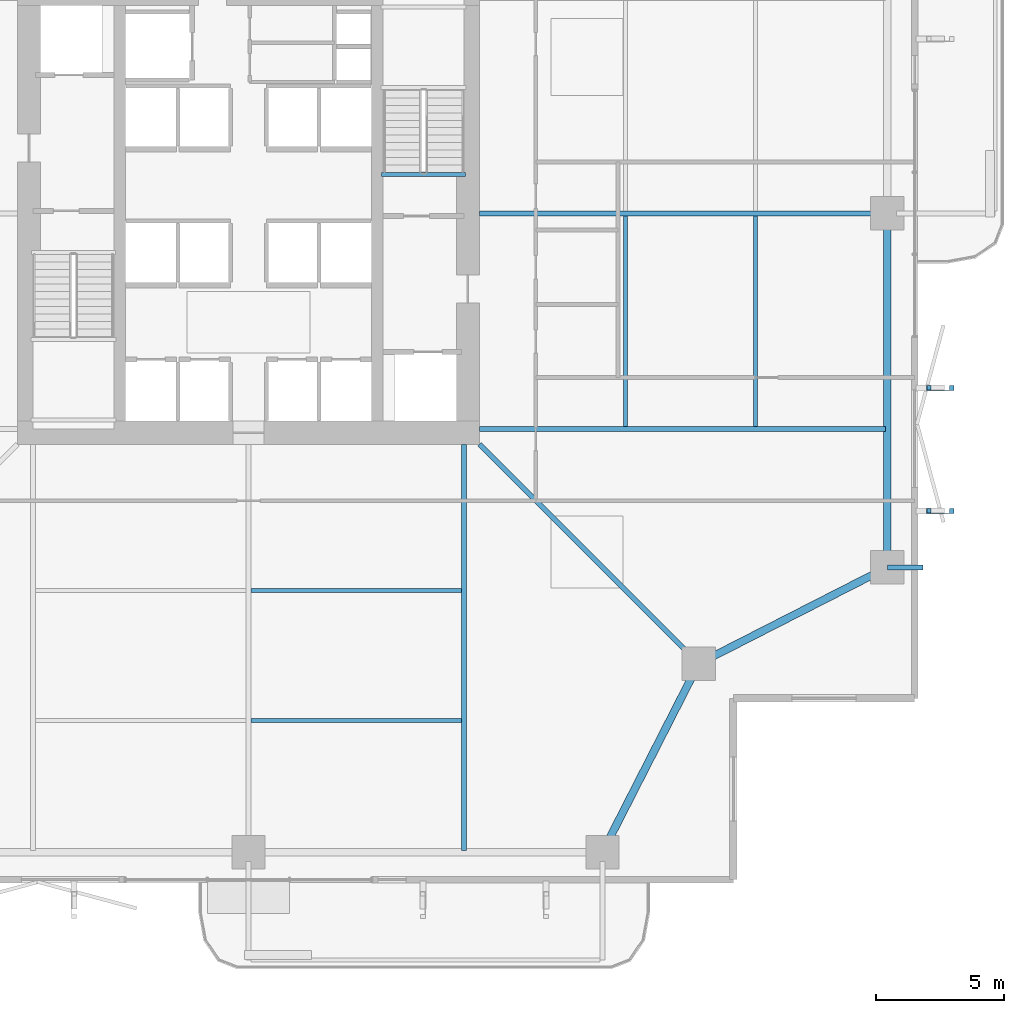
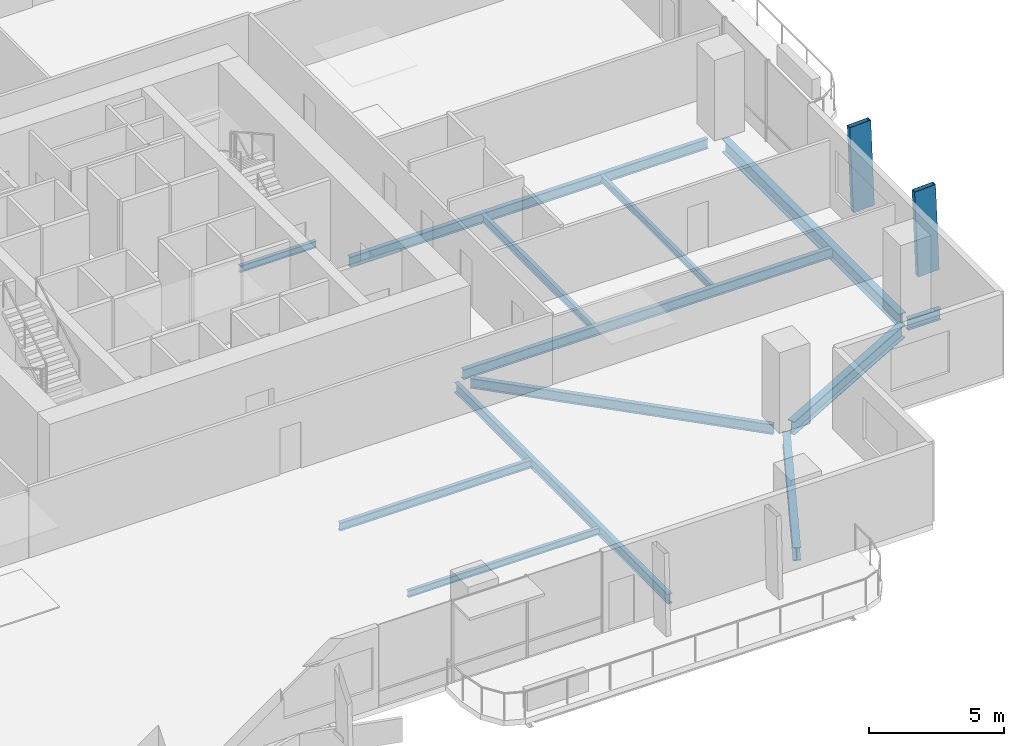
# One storey, part 7 of 24: 13 beams, 2 members.
"""IFC4 building model written with IfcOpenShell, lengths in metres."""

import ifcopenshell
import ifcopenshell.guid

model = None  # the IFC model being written
_history = None  # IfcOwnerHistory: only IFC2X3 demands one
_inside = {}  # id of a spatial element -> (the spatial element, [elements in it])
_under = {}  # id of a project, library or spatial element -> (it, [spatial elements below it])
_declared = {}  # id of a project -> (the project, [libraries it declares])
_typed = {}  # id of a type object -> (the type object, [elements of that type])
_made_of = {}  # id of a material, layer set ... -> (it, [elements and type objects made of it])


def new_model(schema):
    """Start an empty IFC model of exactly this schema.

    Asked for "IFC4X3", IfcOpenShell would pick the latest addendum, in which some entities
    have other attributes; the version numbers below select the first issue.
    IFC2X3 requires an IfcOwnerHistory on every rooted entity: one is made here for all.
    """
    global model, _history
    if schema == "IFC4X3":
        model = ifcopenshell.file(schema_version=(4, 3, 0, 0))
    else:
        model = ifcopenshell.file(schema=schema)
    _inside.clear()
    _under.clear()
    _declared.clear()
    _typed.clear()
    _made_of.clear()
    _history = None
    if model.schema == "IFC2X3":
        org = make("IfcOrganization", Name="unknown")
        user = make(
            "IfcPersonAndOrganization",
            ThePerson=make("IfcPerson", FamilyName="unknown"),
            TheOrganization=org,
        )
        app = make(
            "IfcApplication",
            ApplicationDeveloper=org,
            Version="unknown",
            ApplicationFullName="unknown",
            ApplicationIdentifier="unknown",
        )
        _history = make(
            "IfcOwnerHistory",
            OwningUser=user,
            OwningApplication=app,
            ChangeAction="ADDED",
            CreationDate=0,
        )
    return model


def make(cls, **values):
    """One entity of the class cls with the attributes given. An attribute that is None is left unset."""
    return model.create_entity(
        cls, **{name: value for name, value in values.items() if value is not None}
    )


def rooted(cls, **values):
    """An entity with a GlobalId (a new one), such as an element, a storey or a relation."""
    return make(cls, GlobalId=ifcopenshell.guid.new(), OwnerHistory=_history, **values)


def si_unit(unit_type, name, prefix=None):
    """IfcSIUnit, for example si_unit("LENGTHUNIT", "METRE", prefix="MILLI")."""
    return make("IfcSIUnit", UnitType=unit_type, Prefix=prefix, Name=name)


def assignment(units):
    """IfcUnitAssignment: the units of a project."""
    return None if units is None else make("IfcUnitAssignment", Units=units)


def point(xyz):
    """IfcCartesianPoint."""
    return None if xyz is None else make("IfcCartesianPoint", Coordinates=xyz)


def direction(xyz):
    """IfcDirection."""
    return None if xyz is None else make("IfcDirection", DirectionRatios=xyz)


def frame(location, z_axis=None, x_axis=None):
    """IfcAxis2Placement3D, a coordinate frame: its origin and axes. An axis left out is left unset."""
    return make(
        "IfcAxis2Placement3D",
        Location=point(location),
        Axis=direction(z_axis),
        RefDirection=direction(x_axis),
    )


def frame_2d(location, x_axis=None):
    """IfcAxis2Placement2D, a coordinate frame in the plane: its origin and x axis."""
    return make(
        "IfcAxis2Placement2D", Location=point(location), RefDirection=direction(x_axis)
    )


def origin():
    """The frame at (0, 0, 0) with its axes left unset."""
    return frame((0.0, 0.0, 0.0))


def origin_2d():
    """The frame at (0, 0) in the plane with its x axis left unset."""
    return frame_2d((0.0, 0.0))


def place(relative_to, where):
    """IfcLocalPlacement: puts the frame where relative to a parent placement (None: the world)."""
    return make(
        "IfcLocalPlacement", PlacementRelTo=relative_to, RelativePlacement=where
    )


def context(
    kind, dimensions, precision=None, world=None, true_north=None, identifier=None
):
    """IfcGeometricRepresentationContext, for example the 3D "Model" context."""
    return make(
        "IfcGeometricRepresentationContext",
        ContextIdentifier=identifier,
        ContextType=kind,
        CoordinateSpaceDimension=dimensions,
        Precision=precision,
        WorldCoordinateSystem=world,
        TrueNorth=true_north,
    )


def subcontext(parent, identifier, kind, view, scale=None):
    """IfcGeometricRepresentationSubContext, for example "Body" below "Model"."""
    return make(
        "IfcGeometricRepresentationSubContext",
        ContextIdentifier=identifier,
        ContextType=kind,
        ParentContext=parent,
        TargetScale=scale,
        TargetView=view,
    )


def project(units=None, contexts=None):
    """IfcProject with its units and contexts."""
    return rooted(
        "IfcProject",
        Name="project",
        RepresentationContexts=contexts,
        UnitsInContext=assignment(units),
    )


def spatial(cls, under=None, at=None, **own):
    """A site, building, storey or space (cls), placed at a placement, below another one or the project."""
    s = rooted(cls, ObjectPlacement=at, **own)
    if under is not None:
        _under.setdefault(under.id(), (under, []))[1].append(s)
    return s


def profile(cls, at=None, kind="AREA", **sizes):
    """A parametric profile (cls). Its sizes go by their IFC names, for example OverallWidth=200.0."""
    return make(cls, ProfileType=kind, Position=at, **sizes)


def hollow_rectangle(**sizes):
    """IfcRectangleHollowProfileDef."""
    return profile("IfcRectangleHollowProfileDef", **sizes)


def i_section(**sizes):
    """IfcIShapeProfileDef."""
    return profile("IfcIShapeProfileDef", **sizes)


def extrude(swept, where, along, depth):
    """IfcExtrudedAreaSolid: the profile swept, set in the frame where, extruded along a direction by depth."""
    return make(
        "IfcExtrudedAreaSolid",
        SweptArea=swept,
        Position=where,
        ExtrudedDirection=direction(along),
        Depth=depth,
    )


def shape(context_of_items, identifier, shape_type, items):
    """IfcShapeRepresentation: the items that make up one representation, for example the "Body"."""
    return make(
        "IfcShapeRepresentation",
        ContextOfItems=context_of_items,
        RepresentationIdentifier=identifier,
        RepresentationType=shape_type,
        Items=items,
    )


def material(Name=None, Category=None):
    """IfcMaterial."""
    return make("IfcMaterial", Name=Name, Category=Category)


def material_profile(
    of_material, cross_section, Name=None, Category=None, Priority=None
):
    """IfcMaterialProfile: a cross section and its material."""
    return make(
        "IfcMaterialProfile",
        Name=Name,
        Material=of_material,
        Profile=cross_section,
        Priority=Priority,
        Category=Category,
    )


def profile_set(profiles, Name=None, composite=None):
    """IfcMaterialProfileSet."""
    return make(
        "IfcMaterialProfileSet",
        Name=Name,
        MaterialProfiles=profiles,
        CompositeProfile=composite,
    )


def made_of(thing, what):
    """Note that an element or type object is made of a material, layer set ...; save() writes the relation."""
    if what is not None:
        _made_of.setdefault(what.id(), (what, []))[1].append(thing)
    return thing


def type_object(cls, material=None, **own):
    """A type object (cls), such as IfcWallType, which elements share."""
    return made_of(rooted(cls, **own), material)


def element(
    cls,
    number,
    at=None,
    inside=None,
    cuts=None,
    type_object=None,
    material=None,
    context=None,
    identifier="Body",
    shape_type=None,
    held_by="IfcProductDefinitionShape",
    body=None,
    shapes=None,
    **own,
):
    """One element of the class cls, such as IfcWall. Its Tag is "e" and its number.

    at: its placement. inside: the storey or other place that contains it. cuts: it is an
    opening in that element (IfcRelVoidsElement). A single representation is given by context,
    identifier, shape_type and body (its items); several are given by shapes. held_by: the class
    of the entity that holds the representations. save() writes the other relations.
    """
    e = rooted(cls, Tag="e%d" % number, ObjectPlacement=at, **own)
    if body is not None:
        shapes = [shape(context, identifier, shape_type, body)]
    if shapes is not None:
        e.Representation = make(held_by, Representations=shapes)
    if inside is not None:
        _inside.setdefault(inside.id(), (inside, []))[1].append(e)
    if cuts is not None:
        rooted(
            "IfcRelVoidsElement", RelatingBuildingElement=cuts, RelatedOpeningElement=e
        )
    if type_object is not None:
        _typed.setdefault(type_object.id(), (type_object, []))[1].append(e)
    return made_of(e, material)


def aggregate(whole, parts):
    """IfcRelAggregates: a whole, such as a stair, and the parts it consists of."""
    return rooted("IfcRelAggregates", RelatingObject=whole, RelatedObjects=parts)


def save(model, path):
    """Write the relations noted so far, then the file.

    IfcRelAggregates (storeys below a building ...), IfcRelContainedInSpatialStructure (elements
    in a storey), IfcRelDefinesByType, IfcRelAssociatesMaterial and IfcRelDeclares: one each for
    every whole, place, type object, material and project.
    """
    for whole, parts in _under.values():
        aggregate(whole, parts)
    for where, things in _inside.values():
        rooted(
            "IfcRelContainedInSpatialStructure",
            RelatedElements=things,
            RelatingStructure=where,
        )
    for kind, things in _typed.values():
        rooted("IfcRelDefinesByType", RelatedObjects=things, RelatingType=kind)
    for what, things in _made_of.values():
        rooted("IfcRelAssociatesMaterial", RelatedObjects=things, RelatingMaterial=what)
    for by, libraries in _declared.values():
        rooted("IfcRelDeclares", RelatingContext=by, RelatedDefinitions=libraries)
    model.write(path)


model = new_model("IFC4")

# Units and contexts
model_context = context("Model", 3, precision=1e-05, world=origin(), true_north=direction((0.0, 1.0)))
body_context = subcontext(model_context, "Body", "Model", "MODEL_VIEW")
ifc_project = project(units=[si_unit("LENGTHUNIT", "METRE"), si_unit("AREAUNIT", "SQUARE_METRE"), si_unit("VOLUMEUNIT", "CUBIC_METRE"), si_unit("PLANEANGLEUNIT", "RADIAN"), si_unit("MASSUNIT", "GRAM", prefix="KILO")], contexts=[model_context])

# Site, building, storey
site_placement = place(None, origin())
site = spatial("IfcSite", under=ifc_project, at=site_placement, CompositionType="ELEMENT")
building_placement = place(site_placement, origin())
building = spatial("IfcBuilding", under=site, at=building_placement, Name="Belovzor Exchange Tower", CompositionType="ELEMENT")
storey_placement = place(building_placement, frame((0.0, 0.0, 117.300048828125)))
storey = spatial("IfcBuildingStorey", under=building, at=storey_placement, Name="L28", CompositionType="ELEMENT", Elevation=117.300048828125)

# Beams
ifc_material_1 = material(Name="Steel S355", Category="steel")
ifc_material_profile_1 = material_profile(ifc_material_1, i_section(OverallWidth=0.199951171875, OverallDepth=0.5, WebThickness=0.01025390625, FlangeThickness=0.01611328125, at=origin_2d()))
ifc_profile_set_1 = profile_set([ifc_material_profile_1], Name="Steel S355")
beam_type_1 = type_object("IfcBeamType", Name="Planted Balcony Cantilever Beam IPE 500", PredefinedType="BEAM", material=ifc_profile_set_1)
beam_1_placement = place(storey_placement, frame((53.699951171875, 15.0, -0.5), z_axis=(1.0, 0.0, 0.0), x_axis=(0.0, 1.0, 0.0)))
element("IfcBeam", 1, at=beam_1_placement, inside=storey, type_object=beam_type_1, Name="BC-500 Planted Balcony Cantilever Beam IPE 500", PredefinedType="BEAM", context=body_context, shape_type="SweptSolid", body=[
    extrude(i_section(OverallWidth=0.199951171875, OverallDepth=0.5, WebThickness=0.01025390625, FlangeThickness=0.01611328125, at=origin_2d()), origin(), (0.0, 0.0, 1.0), 1.400146484375),
])
ifc_material_2 = material(Name="Steel S355", Category="steel")
ifc_material_profile_2 = material_profile(ifc_material_2, i_section(OverallWidth=0.169921875, OverallDepth=0.360107421875, WebThickness=0.008056640625, FlangeThickness=0.0126953125, at=origin_2d()))
ifc_profile_set_2 = profile_set([ifc_material_profile_2], Name="Steel S355")
beam_type_2 = type_object("IfcBeamType", Name="Secondary Infill Floor Joist IPE 360", PredefinedType="BEAM", material=ifc_profile_set_2)
for number, where, z_axis, x_axis, name in (
    (2, (28.89501953125, 14.10302734375, -0.429931640625), (1.0, 0.0, 0.0), (0.0, 1.0, 0.0), "FJ-360 Secondary Infill Floor Joist IPE 360"),
    (3, (43.4970703125, 20.4951171875, -0.429931640625), (0.0, 1.0, 0.0), (-1.0, 0.0, 0.0), "FJ-360 Secondary Infill Floor Joist IPE 360"),
):
    element("IfcBeam", number, at=place(storey_placement, frame(where, z_axis=z_axis, x_axis=x_axis)), inside=storey, type_object=beam_type_2, Name=name, PredefinedType="BEAM", context=body_context, shape_type="SweptSolid", body=[
        extrude(i_section(OverallWidth=0.169921875, OverallDepth=0.360107421875, WebThickness=0.008056640625, FlangeThickness=0.0126953125, at=origin_2d()), origin(), (0.0, 0.0, 1.0), 8.2099609375),
    ])
ifc_material_3 = material(Name="Steel S355", Category="steel")
ifc_material_profile_3 = material_profile(ifc_material_3, i_section(OverallWidth=0.14990234375, OverallDepth=0.300048828125, WebThickness=0.007080078125, FlangeThickness=0.0107421875, at=origin_2d()))
ifc_profile_set_3 = profile_set([ifc_material_profile_3], Name="Steel S355")
beam_type_3 = type_object("IfcBeamType", Name="Secondary Trim Floor Joist IPE 300", PredefinedType="BEAM", material=ifc_profile_set_3)
beam_2_placement = place(storey_placement, frame((37.260009765625, 30.320068359375, -0.400146484375), z_axis=(-1.0, 0.0, 0.0), x_axis=(0.0, -1.0, 0.0)))
element("IfcBeam", 4, at=beam_2_placement, inside=storey, type_object=beam_type_3, Name="FJ-300 Secondary Trim Floor Joist IPE 300", PredefinedType="BEAM", context=body_context, shape_type="SweptSolid", body=[
    extrude(i_section(OverallWidth=0.14990234375, OverallDepth=0.300048828125, WebThickness=0.007080078125, FlangeThickness=0.0107421875, at=origin_2d()), origin(), (0.0, 0.0, 1.0), 3.27001953125),
])
for number, where, z_axis, x_axis, name in (
    (5, (28.89501953125, 9.0390625, -0.400146484375), (1.0, 0.0, 0.0), (0.0, 1.0, 0.0), "FJ-300 Secondary Trim Floor Joist IPE 300"),
    (6, (48.56103515625, 20.4951171875, -0.400146484375), (0.0, 1.0, 0.0), (-1.0, 0.0, 0.0), "FJ-300 Secondary Trim Floor Joist IPE 300"),
):
    element("IfcBeam", number, at=place(storey_placement, frame(where, z_axis=z_axis, x_axis=x_axis)), inside=storey, type_object=beam_type_3, Name=name, PredefinedType="BEAM", context=body_context, shape_type="SweptSolid", body=[
        extrude(i_section(OverallWidth=0.14990234375, OverallDepth=0.300048828125, WebThickness=0.007080078125, FlangeThickness=0.0107421875, at=origin_2d()), origin(), (0.0, 0.0, 1.0), 8.2099609375),
    ])

# Members
ifc_material_4 = material(Name="Extruded Architectural Terracotta on Steel S355 Carrier", Category="masonry")
ifc_material_profile_4 = material_profile(ifc_material_4, hollow_rectangle(XDim=0.199951171875, YDim=0.89990234375, WallThickness=0.011962890625, at=origin_2d()))
ifc_profile_set_4 = profile_set([ifc_material_profile_4], Name="Extruded Architectural Terracotta on Steel S355 Carrier")
member_type = type_object("IfcMemberType", Name="Sweeping Terracotta Baguette Fin Assembly 1250", PredefinedType="USERDEFINED", material=ifc_profile_set_4)
for number, where, z_axis, x_axis, name in (
    (7, (55.842041015625, 17.199951171875, -0.25), (-0.040719923662, 0.0, 0.999170599956), (0.0, -1.0, 0.0), "FIN-TC125 Terracotta Facade Fin L28 E1"),
    (8, (55.842041015625, 22.0, -0.25), (-0.040719923662, 0.0, 0.999170599956), (0.0, -1.0, 0.0), "FIN-TC125 Terracotta Facade Fin L28 E2"),
):
    element("IfcMember", number, at=place(storey_placement, frame(where, z_axis=z_axis, x_axis=x_axis)), inside=storey, type_object=member_type, Name=name, ObjectType="FIN", PredefinedType="USERDEFINED", context=body_context, shape_type="SweptSolid", body=[
        extrude(hollow_rectangle(XDim=0.199951171875, YDim=0.89990234375, WallThickness=0.011962890625, at=origin_2d()), origin(), (0.0, 0.0, 1.0), 3.903076171875),
    ])

# Beams
ifc_material_5 = material(Name="Steel S355", Category="steel")
ifc_material_profile_5 = material_profile(ifc_material_5, i_section(OverallWidth=0.300048828125, OverallDepth=0.60009765625, WebThickness=0.015380859375, FlangeThickness=0.030029296875, at=origin_2d()))
ifc_profile_set_5 = profile_set([ifc_material_profile_5], Name="Steel S355")
beam_type_4 = type_object("IfcBeamType", Name="Zone 2 Primary Perimeter Girder HEB 600", PredefinedType="BEAM", material=ifc_profile_set_5)
for number, where, z_axis, x_axis, name in (
    (9, (42.761962890625, 4.218017578125, -0.550048828125), (0.454531706448, 0.890730558493, 0.0), (-0.890730558493, 0.454531706448, 0.0), "FG-Z2 Zone 2 Primary Perimeter Girder HEB 600"),
    (10, (46.66796875, 11.412109375, -0.550048828125), (0.890750362822, 0.454492894481, 0.0), (-0.454492894481, 0.890750362822, 0.0), "FG-Z2 Zone 2 Primary Perimeter Girder HEB 600"),
):
    element("IfcBeam", number, at=place(storey_placement, frame(where, z_axis=z_axis, x_axis=x_axis)), inside=storey, type_object=beam_type_4, Name=name, PredefinedType="BEAM", context=body_context, shape_type="SweptSolid", body=[
        extrude(i_section(OverallWidth=0.300048828125, OverallDepth=0.60009765625, WebThickness=0.015380859375, FlangeThickness=0.030029296875, at=origin_2d()), origin(), (0.0, 0.0, 1.0), 7.53759765625),
    ])
beam_3_placement = place(storey_placement, frame((53.699951171875, 15.35693359375, -0.550048828125), z_axis=(0.0, 1.0, 0.0), x_axis=(-1.0, 0.0, 0.0)))
element("IfcBeam", 11, at=beam_3_placement, inside=storey, type_object=beam_type_4, Name="FG-Z2 Zone 2 Primary Perimeter Girder HEB 600", PredefinedType="BEAM", context=body_context, shape_type="SweptSolid", body=[
    extrude(i_section(OverallWidth=0.300048828125, OverallDepth=0.60009765625, WebThickness=0.015380859375, FlangeThickness=0.030029296875, at=origin_2d()), origin(), (0.0, 0.0, 1.0), 13.0849609375),
])
ifc_material_6 = material(Name="Steel S355", Category="steel")
ifc_material_profile_6 = material_profile(ifc_material_6, i_section(OverallWidth=0.18994140625, OverallDepth=0.449951171875, WebThickness=0.009521484375, FlangeThickness=0.0146484375, at=origin_2d()))
ifc_profile_set_6 = profile_set([ifc_material_profile_6], Name="Steel S355")
beam_type_5 = type_object("IfcBeamType", Name="Zone 2-4 Radial Composite Floor Beam IPE 450", PredefinedType="BEAM", material=ifc_profile_set_6)
for number, where, z_axis, x_axis, name in (
    (12, (37.199951171875, 19.800048828125, -0.47509765625), (0.0, -1.0, 0.0), (1.0, 0.0, 0.0), "FB-450 Zone 2-4 Radial Composite Floor Beam IPE 450"),
    (13, (37.800048828125, 20.39990234375, -0.47509765625), (1.0, 0.0, 0.0), (0.0, 1.0, 0.0), "FB-450 Zone 2-4 Radial Composite Floor Beam IPE 450"),
):
    element("IfcBeam", number, at=place(storey_placement, frame(where, z_axis=z_axis, x_axis=x_axis)), inside=storey, type_object=beam_type_5, Name=name, PredefinedType="BEAM", context=body_context, shape_type="SweptSolid", body=[
        extrude(i_section(OverallWidth=0.18994140625, OverallDepth=0.449951171875, WebThickness=0.009521484375, FlangeThickness=0.0146484375, at=origin_2d()), origin(), (0.0, 0.0, 1.0), 15.824951171875),
    ])
beam_4_placement = place(storey_placement, frame((37.800048828125, 28.800048828125, -0.47509765625), z_axis=(1.0, 0.0, 0.0), x_axis=(0.0, 1.0, 0.0)))
element("IfcBeam", 14, at=beam_4_placement, inside=storey, type_object=beam_type_5, Name="FB-450 Zone 2-4 Radial Composite Floor Beam IPE 450", PredefinedType="BEAM", context=body_context, shape_type="SweptSolid", body=[
    extrude(i_section(OverallWidth=0.18994140625, OverallDepth=0.449951171875, WebThickness=0.009521484375, FlangeThickness=0.0146484375, at=origin_2d()), origin(), (0.0, 0.0, 1.0), 15.327880859375),
])
beam_5_placement = place(storey_placement, frame((37.800048828125, 19.800048828125, -0.47509765625), z_axis=(0.70709628664, -0.707117275577, 0.0), x_axis=(0.707117275577, 0.70709628664, 0.0)))
element("IfcBeam", 15, at=beam_5_placement, inside=storey, type_object=beam_type_5, Name="FB-450 Zone 2-4 Radial Composite Floor Beam IPE 450", PredefinedType="BEAM", context=body_context, shape_type="SweptSolid", body=[
    extrude(i_section(OverallWidth=0.18994140625, OverallDepth=0.449951171875, WebThickness=0.009521484375, FlangeThickness=0.0146484375, at=origin_2d()), origin(), (0.0, 0.0, 1.0), 11.6318359375),
])

save(model, "model.ifc")
